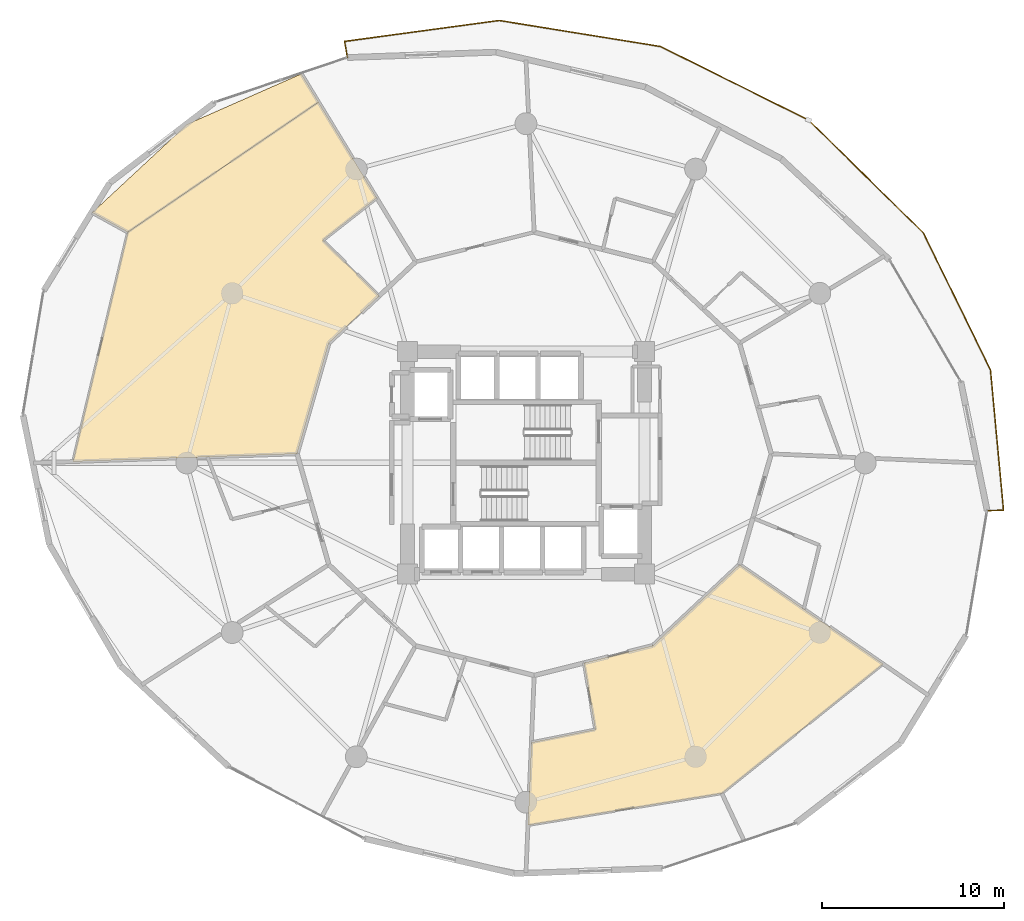
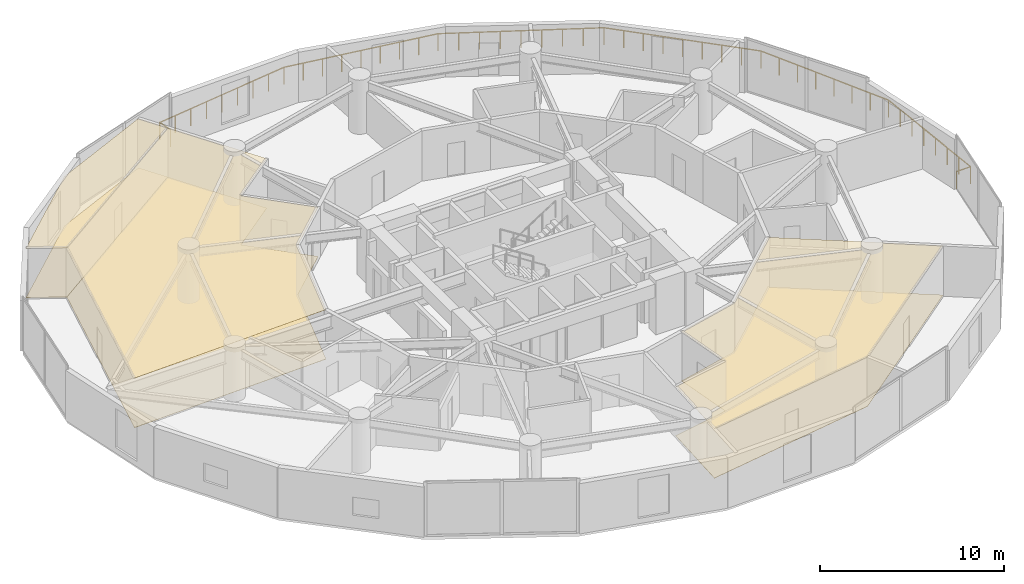
# One storey, part 23 of 23: 6 coverings, 1 railing.
"""IFC4 building model written with IfcOpenShell, lengths in metres."""

from ifc_helpers import new_model, si_unit, direction, frame, origin, origin_2d, place, context, subcontext, project, spatial, polyline, circle, outline, extrude, material, layer, layer_set, type_object, element, save


model = new_model("IFC4")

# Units and contexts
model_context = context("Model", 3, precision=1e-05, world=origin(), true_north=direction((0.0, 1.0)))
body_context = subcontext(model_context, "Body", "Model", "MODEL_VIEW")
ifc_project = project(units=[si_unit("LENGTHUNIT", "METRE"), si_unit("AREAUNIT", "SQUARE_METRE"), si_unit("VOLUMEUNIT", "CUBIC_METRE"), si_unit("PLANEANGLEUNIT", "RADIAN"), si_unit("MASSUNIT", "GRAM", prefix="KILO")], contexts=[model_context])

# Site, building, storey
site_placement = place(None, origin())
site = spatial("IfcSite", under=ifc_project, at=site_placement, CompositionType="ELEMENT")
building_placement = place(site_placement, origin())
building = spatial("IfcBuilding", under=site, at=building_placement, Name="Solvirekh Grand Hotel", CompositionType="ELEMENT")
storey_placement = place(building_placement, frame((0.0, 0.0, 75.199951171875)))
storey = spatial("IfcBuildingStorey", under=building, at=storey_placement, Name="L18", CompositionType="ELEMENT", Elevation=75.199951171875)

# Coverings
ifc_material_1 = material(Name="Acoustic Mineral Ceiling Tile")
ifc_layer_1 = layer(ifc_material_1, 0.02490234375)
ifc_layer_set_1 = layer_set([ifc_layer_1], Name="Acoustic Mineral Ceiling Tile")
covering_type_1 = type_object("IfcCoveringType", Name="Cov_Ceiling_Acoustic", PredefinedType="CEILING", material=ifc_layer_set_1)
covering_1_placement = place(storey_placement, frame((0.0, 0.0, 3.2900390625)))
element("IfcCovering", 1, at=covering_1_placement, inside=storey, type_object=covering_type_1, Name="L18 Executive Suite 2001 Living Room acoustic ceiling", PredefinedType="CEILING", context=body_context, shape_type="SweptSolid", body=[
    extrude(outline(polyline([(-11.135986328125, 12.2080078125), (-8.179931640625, 14.527099609375), (-11.375, 19.783935546875), (-21.8310546875, 12.654052734375), (-24.841064453125, 0.074951171875), (-12.550048828125, 0.5), (-10.80810546875, 6.574951171875), (-8.048095703125, 9.154052734375), (-11.135986328125, 12.2080078125)])), origin(), (0.0, 0.0, 1.0), 0.01806640625),
])
covering_2_placement = place(storey_placement, frame((0.0, 0.0, 3.2900390625)))
element("IfcCovering", 2, at=covering_2_placement, inside=storey, type_object=covering_type_1, Name="L18 Executive Suite 2001 Master Bedroom acoustic ceiling", PredefinedType="CEILING", context=body_context, shape_type="SweptSolid", body=[
    extrude(outline(polyline([(-12.31494140625, 21.330078125), (-18.570068359375, 18.570068359375), (-23.77587890625, 13.72705078125), (-21.8310546875, 12.654052734375), (-11.375, 19.783935546875), (-12.31494140625, 21.330078125)])), origin(), (0.0, 0.0, 1.0), 0.01806640625),
])
covering_3_placement = place(storey_placement, frame((0.0, 0.0, 3.2900390625)))
element("IfcCovering", 3, at=covering_3_placement, inside=storey, type_object=covering_type_1, Name="L18 Executive Suite 2005 Living Room acoustic ceiling", PredefinedType="CEILING", context=body_context, shape_type="SweptSolid", body=[
    extrude(outline(polyline([(3.803955078125, -14.618896484375), (0.297119140625, -15.323974609375), (0.10791015625, -19.863037109375), (10.741943359375, -18.12109375), (19.587890625, -11.02490234375), (11.7080078125, -5.574951171875), (6.949951171875, -10.02197265625), (3.179931640625, -10.966064453125), (3.803955078125, -14.618896484375)])), origin(), (0.0, 0.0, 1.0), 0.01806640625),
])
ifc_material_2 = material(Name="Porcelain Stoneware Flooring", Category="masonry")
ifc_layer_2 = layer(ifc_material_2, 0.030029296875)
ifc_layer_set_2 = layer_set([ifc_layer_2], Name="Porcelain Stoneware Flooring")
covering_type_2 = type_object("IfcCoveringType", Name="Cov_Floor_Stone", PredefinedType="FLOORING", material=ifc_layer_set_2)
covering_4_placement = place(storey_placement, origin())
element("IfcCovering", 4, at=covering_4_placement, inside=storey, type_object=covering_type_2, Name="L18 Executive Suite 2001 Living Room polished granite flooring", PredefinedType="FLOORING", context=body_context, shape_type="SweptSolid", body=[
    extrude(outline(polyline([(-11.135986328125, 12.2080078125), (-8.179931640625, 14.527099609375), (-11.375, 19.783935546875), (-21.8310546875, 12.654052734375), (-24.841064453125, 0.074951171875), (-12.550048828125, 0.5), (-10.80810546875, 6.574951171875), (-8.048095703125, 9.154052734375), (-11.135986328125, 12.2080078125)])), origin(), (0.0, 0.0, 1.0), 0.02001953125),
])
covering_5_placement = place(storey_placement, origin())
element("IfcCovering", 5, at=covering_5_placement, inside=storey, type_object=covering_type_2, Name="L18 Executive Suite 2001 Master Bedroom polished granite flooring", PredefinedType="FLOORING", context=body_context, shape_type="SweptSolid", body=[
    extrude(outline(polyline([(-12.31494140625, 21.330078125), (-18.570068359375, 18.570068359375), (-23.77587890625, 13.72705078125), (-21.8310546875, 12.654052734375), (-11.375, 19.783935546875), (-12.31494140625, 21.330078125)])), origin(), (0.0, 0.0, 1.0), 0.02001953125),
])
covering_6_placement = place(storey_placement, origin())
element("IfcCovering", 6, at=covering_6_placement, inside=storey, type_object=covering_type_2, Name="L18 Executive Suite 2005 Living Room polished granite flooring", PredefinedType="FLOORING", context=body_context, shape_type="SweptSolid", body=[
    extrude(outline(polyline([(3.803955078125, -14.618896484375), (0.297119140625, -15.323974609375), (0.10791015625, -19.863037109375), (10.741943359375, -18.12109375), (19.587890625, -11.02490234375), (11.7080078125, -5.574951171875), (6.949951171875, -10.02197265625), (3.179931640625, -10.966064453125), (3.803955078125, -14.618896484375)])), origin(), (0.0, 0.0, 1.0), 0.02001953125),
])

# Railing
ifc_material_3 = material(Name="Anodized Bronze Aluminium 6063-T6", Category="aluminium")
railing_type = type_object("IfcRailingType", Name="Guard_ExtGlass_1150", PredefinedType="BALUSTRADE", material=ifc_material_3)
railing_placement = place(storey_placement, frame((25.283935546875, -2.615966796875, 0.0)))
element("IfcRailing", 7, at=railing_placement, inside=storey, type_object=railing_type, Name="L18 balc perimeter glass balustrade", PredefinedType="BALUSTRADE", context=body_context, shape_type="SweptSolid", body=[
    extrude(circle(Radius=0.02392578125, at=origin_2d()), frame((0.0, 0.0, 1.1259765625), z_axis=(0.999752776154, 0.022234805437, 0.0), x_axis=(-0.022234805437, 0.999752776154, 0.0)), (0.0, 0.0, 1.0), 0.900390625),
    extrude(circle(Radius=0.02392578125, at=origin_2d()), frame((0.900146484375, 0.02001953125, 1.1259765625), z_axis=(-0.092584795, 0.995704803511, 0.0), x_axis=(-0.995704803511, -0.092584795, 0.0)), (0.0, 0.0, 1.0), 7.734130859375),
    extrude(circle(Radius=0.02392578125, at=origin_2d()), frame((0.18408203125, 7.720947265625, 1.1259765625), z_axis=(-0.43996601427, 0.89801442432, 0.0), x_axis=(-0.89801442432, -0.43996601427, 0.0)), (0.0, 0.0, 1.0), 8.357421875),
    extrude(circle(Radius=0.02392578125, at=origin_2d()), frame((-3.492919921875, 15.22607421875, 1.1259765625), z_axis=(-0.713255483583, 0.700904141191, 0.0), x_axis=(-0.700904141191, -0.713255483583, 0.0)), (0.0, 0.0, 1.0), 8.83544921875),
    extrude(circle(Radius=0.02392578125, at=origin_2d()), frame((-9.794921875, 21.4189453125, 1.1259765625), z_axis=(-0.895615403663, 0.444829235461, 0.0), x_axis=(-0.444829235461, -0.895615403663, 0.0)), (0.0, 0.0, 1.0), 9.0576171875),
    extrude(circle(Radius=0.02392578125, at=origin_2d()), frame((-17.906982421875, 25.447998046875, 1.1259765625), z_axis=(-0.987213761437, 0.159401973729, 0.0), x_axis=(-0.159401973729, -0.987213761437, 0.0)), (0.0, 0.0, 1.0), 8.96435546875),
    extrude(circle(Radius=0.02392578125, at=origin_2d()), frame((-26.7568359375, 26.876953125, 1.1259765625), z_axis=(-0.990935824105, -0.134336117654, 0.0), x_axis=(0.134336117654, -0.990935824105, 0.0)), (0.0, 0.0, 1.0), 8.552734375),
    extrude(circle(Radius=0.02392578125, at=origin_2d()), frame((-35.23193359375, 25.72802734375, 1.1259765625), z_axis=(0.175518345489, -0.9844761604, 0.0), x_axis=(0.9844761604, 0.175518345489, 0.0)), (0.0, 0.0, 1.0), 0.89990234375),
    extrude(circle(Radius=0.02099609375, at=origin_2d()), origin(), (0.0, 0.0, 1.0), 1.101806640625),
    extrude(circle(Radius=0.02099609375, at=origin_2d()), frame((0.900146484375, 0.02001953125, 0.0)), (0.0, 0.0, 1.0), 1.101806640625),
    extrude(circle(Radius=0.02099609375, at=origin_2d()), frame((0.7978515625, 1.1201171875, 0.0)), (0.0, 0.0, 1.0), 1.101806640625),
    extrude(circle(Radius=0.02099609375, at=origin_2d()), frame((0.695556640625, 2.22021484375, 0.0)), (0.0, 0.0, 1.0), 1.101806640625),
    extrude(circle(Radius=0.02099609375, at=origin_2d()), frame((0.59326171875, 3.3203125, 0.0)), (0.0, 0.0, 1.0), 1.101806640625),
    extrude(circle(Radius=0.02099609375, at=origin_2d()), frame((0.490966796875, 4.420654296875, 0.0)), (0.0, 0.0, 1.0), 1.101806640625),
    extrude(circle(Radius=0.02099609375, at=origin_2d()), frame((0.388671875, 5.520751953125, 0.0)), (0.0, 0.0, 1.0), 1.101806640625),
    extrude(circle(Radius=0.02099609375, at=origin_2d()), frame((0.286376953125, 6.620849609375, 0.0)), (0.0, 0.0, 1.0), 1.101806640625),
    extrude(circle(Radius=0.02099609375, at=origin_2d()), frame((0.18408203125, 7.720947265625, 0.0)), (0.0, 0.0, 1.0), 1.101806640625),
    extrude(circle(Radius=0.02099609375, at=origin_2d()), frame((-0.34130859375, 8.793212890625, 0.0)), (0.0, 0.0, 1.0), 1.101806640625),
    extrude(circle(Radius=0.02099609375, at=origin_2d()), frame((-0.866455078125, 9.865234375, 0.0)), (0.0, 0.0, 1.0), 1.101806640625),
    extrude(circle(Radius=0.02099609375, at=origin_2d()), frame((-1.391845703125, 10.9375, 0.0)), (0.0, 0.0, 1.0), 1.101806640625),
    extrude(circle(Radius=0.02099609375, at=origin_2d()), frame((-1.9169921875, 12.009521484375, 0.0)), (0.0, 0.0, 1.0), 1.101806640625),
    extrude(circle(Radius=0.02099609375, at=origin_2d()), frame((-2.4423828125, 13.081787109375, 0.0)), (0.0, 0.0, 1.0), 1.101806640625),
    extrude(circle(Radius=0.02099609375, at=origin_2d()), frame((-2.967529296875, 14.15380859375, 0.0)), (0.0, 0.0, 1.0), 1.101806640625),
    extrude(circle(Radius=0.02099609375, at=origin_2d()), frame((-3.492919921875, 15.22607421875, 0.0)), (0.0, 0.0, 1.0), 1.101806640625),
    extrude(circle(Radius=0.02099609375, at=origin_2d()), frame((-4.28076171875, 16.000244140625, 0.0)), (0.0, 0.0, 1.0), 1.101806640625),
    extrude(circle(Radius=0.02099609375, at=origin_2d()), frame((-5.068359375, 16.7744140625, 0.0)), (0.0, 0.0, 1.0), 1.101806640625),
    extrude(circle(Radius=0.02099609375, at=origin_2d()), frame((-5.856201171875, 17.54833984375, 0.0)), (0.0, 0.0, 1.0), 1.101806640625),
    extrude(circle(Radius=0.02099609375, at=origin_2d()), frame((-6.64404296875, 18.322509765625, 0.0)), (0.0, 0.0, 1.0), 1.101806640625),
    extrude(circle(Radius=0.02099609375, at=origin_2d()), frame((-7.431640625, 19.0966796875, 0.0)), (0.0, 0.0, 1.0), 1.101806640625),
    extrude(circle(Radius=0.02099609375, at=origin_2d()), frame((-8.219482421875, 19.87060546875, 0.0)), (0.0, 0.0, 1.0), 1.101806640625),
    extrude(circle(Radius=0.02099609375, at=origin_2d()), frame((-9.007080078125, 20.644775390625, 0.0)), (0.0, 0.0, 1.0), 1.101806640625),
    extrude(circle(Radius=0.02099609375, at=origin_2d()), frame((-9.794921875, 21.4189453125, 0.0)), (0.0, 0.0, 1.0), 1.101806640625),
    extrude(circle(Radius=0.02099609375, at=origin_2d()), frame((-10.808837890625, 21.922607421875, 0.0)), (0.0, 0.0, 1.0), 1.101806640625),
    extrude(circle(Radius=0.02099609375, at=origin_2d()), frame((-11.822998046875, 22.42626953125, 0.0)), (0.0, 0.0, 1.0), 1.101806640625),
    extrude(circle(Radius=0.02099609375, at=origin_2d()), frame((-12.8369140625, 22.929931640625, 0.0)), (0.0, 0.0, 1.0), 1.101806640625),
    extrude(circle(Radius=0.02099609375, at=origin_2d()), frame((-13.85107421875, 23.43359375, 0.0)), (0.0, 0.0, 1.0), 1.101806640625),
    extrude(circle(Radius=0.02099609375, at=origin_2d()), frame((-14.864990234375, 23.93701171875, 0.0)), (0.0, 0.0, 1.0), 1.101806640625),
    extrude(circle(Radius=0.02099609375, at=origin_2d()), frame((-15.87890625, 24.440673828125, 0.0)), (0.0, 0.0, 1.0), 1.101806640625),
    extrude(circle(Radius=0.02099609375, at=origin_2d()), frame((-16.89306640625, 24.9443359375, 0.0)), (0.0, 0.0, 1.0), 1.101806640625),
    extrude(circle(Radius=0.02099609375, at=origin_2d()), frame((-17.906982421875, 25.447998046875, 0.0)), (0.0, 0.0, 1.0), 1.101806640625),
    extrude(circle(Radius=0.02099609375, at=origin_2d()), frame((-19.01318359375, 25.626708984375, 0.0)), (0.0, 0.0, 1.0), 1.101806640625),
    extrude(circle(Radius=0.02099609375, at=origin_2d()), frame((-20.119384765625, 25.80517578125, 0.0)), (0.0, 0.0, 1.0), 1.101806640625),
    extrude(circle(Radius=0.02099609375, at=origin_2d()), frame((-21.2255859375, 25.98388671875, 0.0)), (0.0, 0.0, 1.0), 1.101806640625),
    extrude(circle(Radius=0.02099609375, at=origin_2d()), frame((-22.33203125, 26.16259765625, 0.0)), (0.0, 0.0, 1.0), 1.101806640625),
    extrude(circle(Radius=0.02099609375, at=origin_2d()), frame((-23.438232421875, 26.341064453125, 0.0)), (0.0, 0.0, 1.0), 1.101806640625),
    extrude(circle(Radius=0.02099609375, at=origin_2d()), frame((-24.54443359375, 26.519775390625, 0.0)), (0.0, 0.0, 1.0), 1.101806640625),
    extrude(circle(Radius=0.02099609375, at=origin_2d()), frame((-25.650634765625, 26.6982421875, 0.0)), (0.0, 0.0, 1.0), 1.101806640625),
    extrude(circle(Radius=0.02099609375, at=origin_2d()), frame((-26.7568359375, 26.876953125, 0.0)), (0.0, 0.0, 1.0), 1.101806640625),
    extrude(circle(Radius=0.02099609375, at=origin_2d()), frame((-27.816162109375, 26.7333984375, 0.0)), (0.0, 0.0, 1.0), 1.101806640625),
    extrude(circle(Radius=0.02099609375, at=origin_2d()), frame((-28.87548828125, 26.58984375, 0.0)), (0.0, 0.0, 1.0), 1.101806640625),
    extrude(circle(Radius=0.02099609375, at=origin_2d()), frame((-29.93505859375, 26.446044921875, 0.0)), (0.0, 0.0, 1.0), 1.101806640625),
    extrude(circle(Radius=0.02099609375, at=origin_2d()), frame((-30.994384765625, 26.302490234375, 0.0)), (0.0, 0.0, 1.0), 1.101806640625),
    extrude(circle(Radius=0.02099609375, at=origin_2d()), frame((-32.0537109375, 26.158935546875, 0.0)), (0.0, 0.0, 1.0), 1.101806640625),
    extrude(circle(Radius=0.02099609375, at=origin_2d()), frame((-33.11328125, 26.01513671875, 0.0)), (0.0, 0.0, 1.0), 1.101806640625),
    extrude(circle(Radius=0.02099609375, at=origin_2d()), frame((-34.172607421875, 25.87158203125, 0.0)), (0.0, 0.0, 1.0), 1.101806640625),
    extrude(circle(Radius=0.02099609375, at=origin_2d()), frame((-35.23193359375, 25.72802734375, 0.0)), (0.0, 0.0, 1.0), 1.101806640625),
    extrude(circle(Radius=0.02099609375, at=origin_2d()), frame((-35.073974609375, 24.842041015625, 0.0)), (0.0, 0.0, 1.0), 1.101806640625),
])

save(model, "model.ifc")
